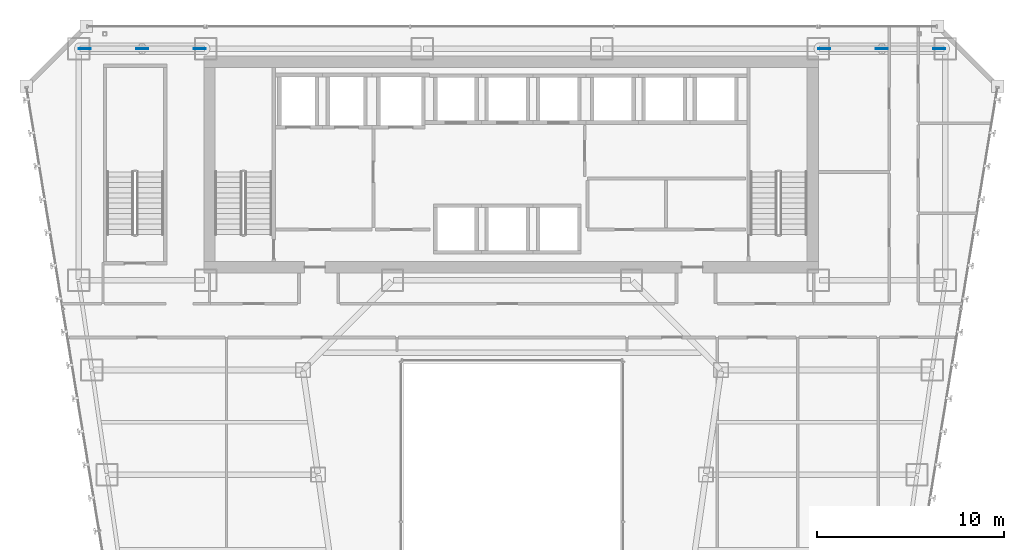
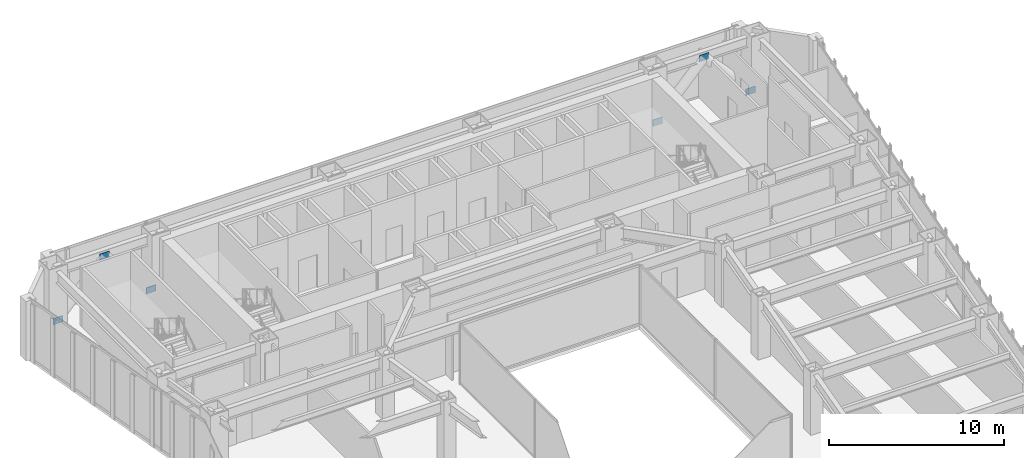
# One storey, part 35 of 47: 6 plates.
"""IFC4 building model written with IfcOpenShell, lengths in metres."""

from ifc_helpers import new_model, si_unit, direction, frame, origin, origin_2d, place, context, subcontext, project, spatial, rectangle, extrude, material, layer, layer_set, type_object, element, save


model = new_model("IFC4")

# Units and contexts
model_context = context("Model", 3, precision=1e-05, world=origin(), true_north=direction((0.0, 1.0)))
body_context = subcontext(model_context, "Body", "Model", "MODEL_VIEW")
ifc_project = project(units=[si_unit("LENGTHUNIT", "METRE"), si_unit("AREAUNIT", "SQUARE_METRE"), si_unit("VOLUMEUNIT", "CUBIC_METRE"), si_unit("PLANEANGLEUNIT", "RADIAN"), si_unit("MASSUNIT", "GRAM", prefix="KILO")], contexts=[model_context])

# Site, building, storey
site_placement = place(None, origin())
site = spatial("IfcSite", under=ifc_project, at=site_placement, CompositionType="ELEMENT")
building_placement = place(site_placement, origin())
building = spatial("IfcBuilding", under=site, at=building_placement, Name="Saevonmaru Cultural Tower", CompositionType="ELEMENT")
storey_placement = place(building_placement, frame((0.0, 0.0, 56.0)))
storey = spatial("IfcBuildingStorey", under=building, at=storey_placement, Name="L11", CompositionType="ELEMENT", Elevation=56.0)

# Plates
ifc_material = material(Name="Steel HSA600 (600 MPa)", Category="steel")
ifc_layer = layer(ifc_material, 0.0400390625, Name="Steel HSA600 (600 MPa)")
ifc_layer_set = layer_set([ifc_layer], Name="Steel HSA600 (600 MPa)")
plate_type = type_object("IfcPlateType", Name="PL-GUSSET-EXT", PredefinedType="USERDEFINED", material=ifc_layer_set)
for number, where, z_axis, x_axis, name in (
    (1, (10.199951171875, 54.800048828125, 3.449951171875), (0.0, 0.0, 1.0), (1.0, 0.0, 0.0), "L11 Perimeter Tube Gusset Plate"),
    (2, (7.1201171875, 54.800048828125, 0.02001953125), (0.0, 0.0, 1.0), (1.0, 0.0, 0.0), "L11 Perimeter Tube Gusset Plate"),
    (3, (13.280029296875, 54.800048828125, 0.02001953125), (0.0, 0.0, 1.0), (1.0, 0.0, 0.0), "L11 Perimeter Tube Gusset Plate"),
    (4, (49.800048828125, 54.800048828125, 3.449951171875), (0.0, 0.0, 1.0), (1.0, 0.0, 0.0), "L11 Perimeter Tube Gusset Plate"),
    (5, (46.719970703125, 54.800048828125, 0.02001953125), (0.0, 0.0, 1.0), (1.0, 0.0, 0.0), "L11 Perimeter Tube Gusset Plate"),
    (6, (52.8798828125, 54.800048828125, 0.02001953125), (0.0, 0.0, 1.0), (1.0, 0.0, 0.0), "L11 Perimeter Tube Gusset Plate"),
):
    element("IfcPlate", number, at=place(storey_placement, frame(where, z_axis=z_axis, x_axis=x_axis)), inside=storey, type_object=plate_type, Name=name, ObjectType="GUSSET_PLATE", PredefinedType="USERDEFINED", context=body_context, shape_type="SweptSolid", body=[
        extrude(rectangle(XDim=0.639892578125, YDim=0.0400390625, at=origin_2d()), origin(), (0.0, 0.0, 1.0), 0.43994140625),
    ])

save(model, "model.ifc")
